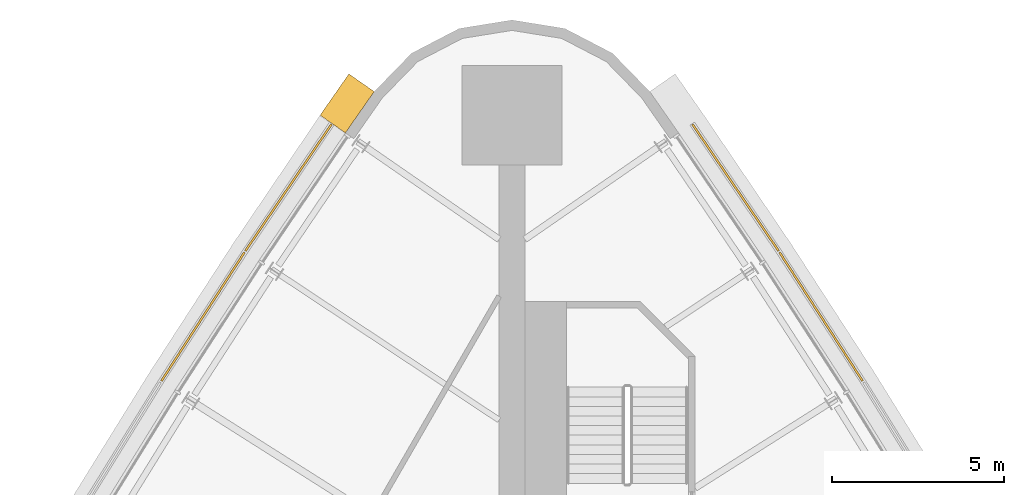
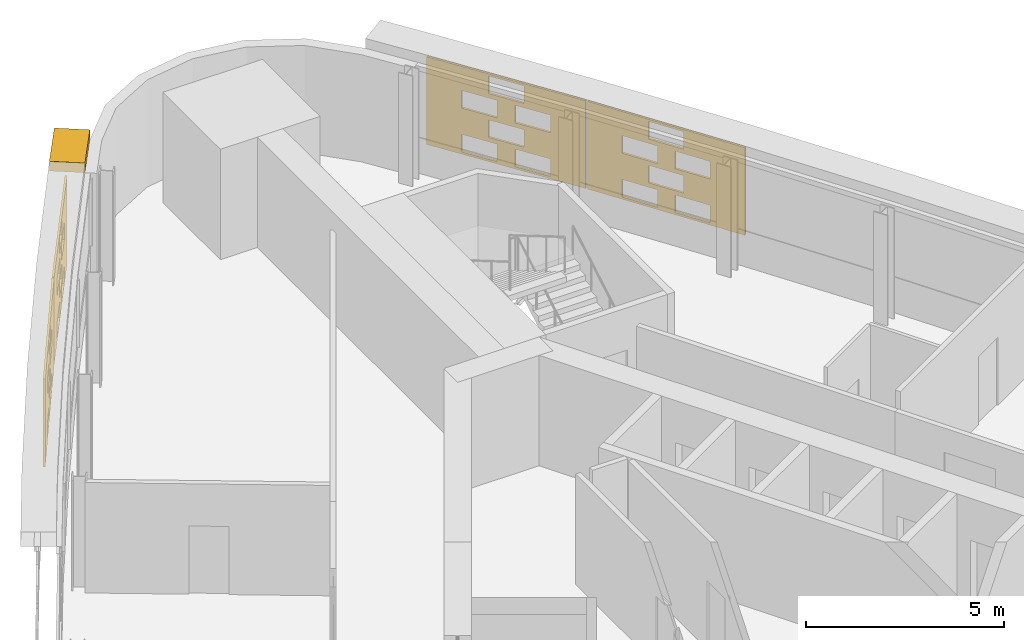
# One storey, part 13 of 13: 5 shading devices.
"""IFC4 building model written with IfcOpenShell, lengths in metres."""

from ifc_helpers import new_model, si_unit, direction, frame, origin, place, context, subcontext, project, spatial, polyline, outline, extrude, material, material_profile, profile_set, type_object, element, save


model = new_model("IFC4")

# Units and contexts
model_context = context("Model", 3, precision=1e-05, world=origin(), true_north=direction((0.0, 1.0)))
body_context = subcontext(model_context, "Body", "Model", "MODEL_VIEW")
ifc_project = project(units=[si_unit("LENGTHUNIT", "METRE"), si_unit("AREAUNIT", "SQUARE_METRE"), si_unit("VOLUMEUNIT", "CUBIC_METRE"), si_unit("PLANEANGLEUNIT", "RADIAN"), si_unit("MASSUNIT", "GRAM", prefix="KILO")], contexts=[model_context])

# Site, building, storey
site_placement = place(None, origin())
site = spatial("IfcSite", under=ifc_project, at=site_placement, CompositionType="ELEMENT")
building_placement = place(site_placement, origin())
building = spatial("IfcBuilding", under=site, at=building_placement, Name="Noor Cloister Tower", CompositionType="ELEMENT")
storey_placement = place(building_placement, frame((0.0, 0.0, 143.699951171875)))
storey = spatial("IfcBuildingStorey", under=building, at=storey_placement, Name="L36", CompositionType="ELEMENT", Elevation=143.699951171875)

# Shading devices
ifc_material_1 = material(Name="Limestone", Category="masonry")
ifc_material_profile = material_profile(ifc_material_1, outline(polyline([(-2.22998046875, -1.35009765625), (2.22998046875, -1.35009765625), (2.22998046875, 1.35009765625), (-2.22998046875, 1.35009765625), (-2.22998046875, -1.35009765625)]), holes=[polyline([(-1.25, -1.282470703125), (-0.25, -1.282470703125), (-0.25, -0.742431640625), (-1.25, -0.742431640625), (-1.25, -1.282470703125)]), polyline([(0.25, -1.282470703125), (1.25, -1.282470703125), (1.25, -0.742431640625), (0.25, -0.742431640625), (0.25, -1.282470703125)]), polyline([(-0.5, -0.607421875), (0.5, -0.607421875), (0.5, -0.0673828125), (-0.5, -0.0673828125), (-0.5, -0.607421875)]), polyline([(-1.25, 0.0673828125), (-0.25, 0.0673828125), (-0.25, 0.607421875), (-1.25, 0.607421875), (-1.25, 0.0673828125)]), polyline([(0.25, 0.0673828125), (1.25, 0.0673828125), (1.25, 0.607421875), (0.25, 0.607421875), (0.25, 0.0673828125)]), polyline([(-0.5, 0.742431640625), (0.5, 0.742431640625), (0.5, 1.282470703125), (-0.5, 1.282470703125), (-0.5, 0.742431640625)])]), Name="Woven screen 30 percent open")
ifc_profile_set = profile_set([ifc_material_profile], Name="Limestone")
shading_device_type_1 = type_object("IfcShadingDeviceType", Name="SCREEN woven limestone 30 percent open", PredefinedType="USERDEFINED", material=ifc_profile_set)
for number, where, z_axis, x_axis, name in (
    (1, (-6.48779296875, 21.952880859375, 1.85009765625), (-0.827002267371, 0.5621985857, 0.0), (-0.5621985857, -0.827002267371, 0.0), "SCREEN L36 1"),
    (2, (-8.97802734375, 18.194091796875, 1.85009765625), (-0.840116811995, 0.54240551454, 0.0), (-0.54240551454, -0.840116811995, 0.0), "SCREEN L36 2"),
    (3, (8.97802734375, 18.194091796875, 1.85009765625), (0.840116811995, 0.54240551454, 0.0), (-0.54240551454, 0.840116811995, 0.0), "SCREEN L36 7"),
    (4, (6.48779296875, 21.952880859375, 1.85009765625), (0.827002267371, 0.5621985857, 0.0), (-0.5621985857, 0.827002267371, 0.0), "SCREEN L36 8"),
):
    element("IfcShadingDevice", number, at=place(storey_placement, frame(where, z_axis=z_axis, x_axis=x_axis)), inside=storey, type_object=shading_device_type_1, Name=name, ObjectType="SCREEN", PredefinedType="USERDEFINED", context=body_context, shape_type="SweptSolid", body=[
        extrude(outline(polyline([(-2.22998046875, -1.35009765625), (2.22998046875, -1.35009765625), (2.22998046875, 1.35009765625), (-2.22998046875, 1.35009765625), (-2.22998046875, -1.35009765625)]), holes=[polyline([(-1.25, -1.282470703125), (-0.25, -1.282470703125), (-0.25, -0.742431640625), (-1.25, -0.742431640625), (-1.25, -1.282470703125)]), polyline([(0.25, -1.282470703125), (1.25, -1.282470703125), (1.25, -0.742431640625), (0.25, -0.742431640625), (0.25, -1.282470703125)]), polyline([(-0.5, -0.607421875), (0.5, -0.607421875), (0.5, -0.0673828125), (-0.5, -0.0673828125), (-0.5, -0.607421875)]), polyline([(-1.25, 0.0673828125), (-0.25, 0.0673828125), (-0.25, 0.607421875), (-1.25, 0.607421875), (-1.25, 0.0673828125)]), polyline([(0.25, 0.0673828125), (1.25, 0.0673828125), (1.25, 0.607421875), (0.25, 0.607421875), (0.25, 0.0673828125)]), polyline([(-0.5, 0.742431640625), (0.5, 0.742431640625), (0.5, 1.282470703125), (-0.5, 1.282470703125), (-0.5, 0.742431640625)])]), origin(), (0.0, 0.0, 1.0), 0.059814453125),
    ])
ifc_material_2 = material(Name="Limestone", Category="masonry")
shading_device_type_2 = type_object("IfcShadingDeviceType", Name="SUNSHADE limestone band 900", PredefinedType="USERDEFINED", material=ifc_material_2)
shading_device_placement = place(storey_placement, frame((0.0, 0.0, 3.300048828125)))
element("IfcShadingDevice", 5, at=shading_device_placement, inside=storey, type_object=shading_device_type_2, Name="SUNSHADE L36 4", ObjectType="SUNSHADE", PredefinedType="USERDEFINED", context=body_context, shape_type="SweptSolid", body=[
    extrude(outline(polyline([(-4.752197265625, 25.281982421875), (-5.591552734375, 24.078125), (-4.853271484375, 23.5634765625), (-4.013916015625, 24.76708984375), (-4.752197265625, 25.281982421875)])), origin(), (0.0, 0.0, 1.0), 0.300048828125),
])

save(model, "model.ifc")
